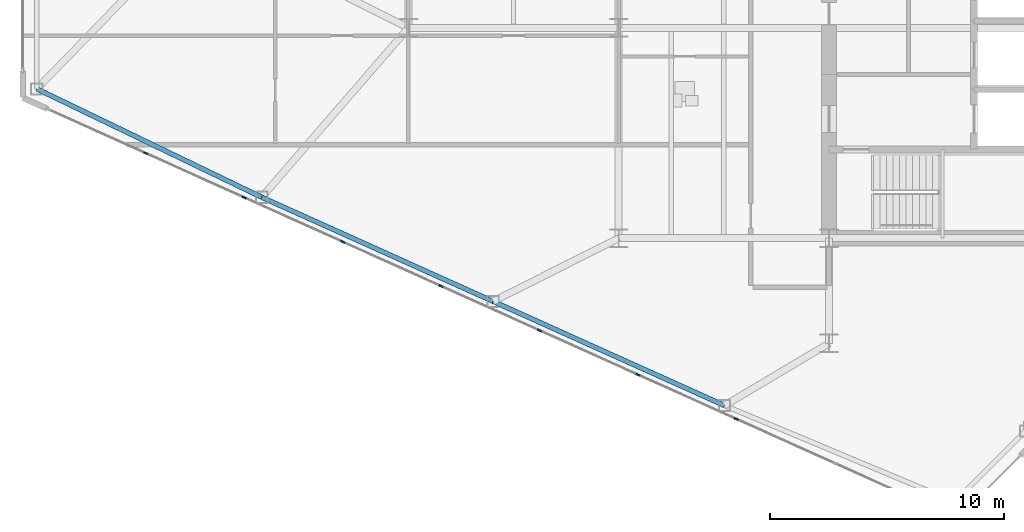
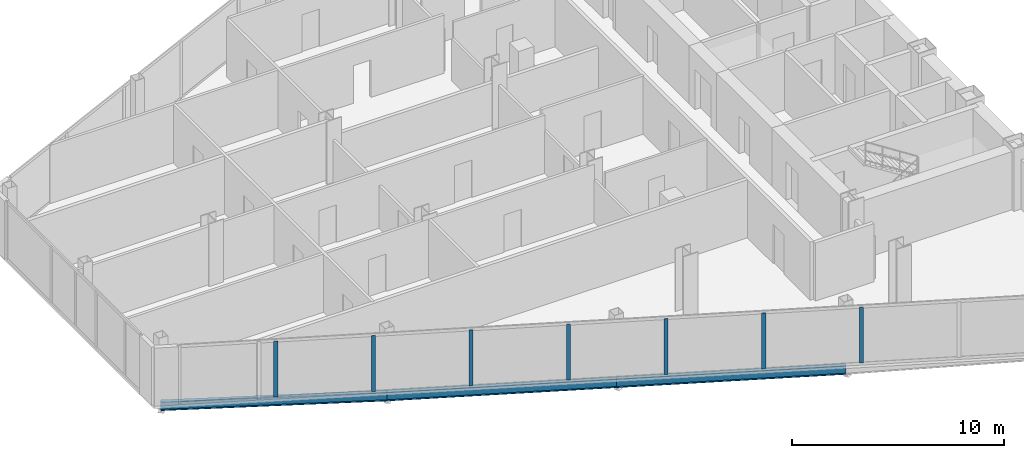
# One storey, part 3 of 27: 7 members, 3 beams, 1 element without a shape of its own.
"""IFC4 building model written with IfcOpenShell, lengths in metres."""

from ifc_helpers import new_model, si_unit, direction, frame, origin, origin_2d, place, context, subcontext, project, spatial, rectangle, i_section, extrude, source, transform, mapped, material, layer, layer_set, material_profile, profile_set, type_object, type_shapes, element, aggregate, save


model = new_model("IFC4")

# Units and contexts
model_context = context("Model", 3, precision=1e-05, world=origin(), true_north=direction((0.0, 1.0)))
body_context = subcontext(model_context, "Body", "Model", "MODEL_VIEW")
ifc_project = project(units=[si_unit("LENGTHUNIT", "METRE"), si_unit("AREAUNIT", "SQUARE_METRE"), si_unit("VOLUMEUNIT", "CUBIC_METRE"), si_unit("PLANEANGLEUNIT", "RADIAN"), si_unit("MASSUNIT", "GRAM", prefix="KILO")], contexts=[model_context])

# Site, building, storey
site_placement = place(None, origin())
site = spatial("IfcSite", under=ifc_project, at=site_placement, CompositionType="ELEMENT")
building_placement = place(site_placement, origin())
building = spatial("IfcBuilding", under=site, at=building_placement, Name="Seokmaru Belvedere", CompositionType="ELEMENT")
storey_placement = place(building_placement, frame((0.0, 0.0, 83.699951171875)))
storey = spatial("IfcBuildingStorey", under=building, at=storey_placement, Name="L22", CompositionType="ELEMENT", Elevation=83.699951171875)

# Beams
ifc_material_1 = material(Name="Steel SM355 (355 MPa)", Category="steel")
ifc_material_profile_1 = material_profile(ifc_material_1, i_section(OverallWidth=0.199951171875, OverallDepth=0.5, WebThickness=0.010009765625, FlangeThickness=0.01611328125, at=origin_2d()), Name="H-500x200x10x16")
ifc_profile_set_1 = profile_set([ifc_material_profile_1], Name="Steel SM355 (355 MPa)")
beam_type = type_object("IfcBeamType", Name="Perimeter Spandrel Beam H-500", PredefinedType="SPANDREL", material=ifc_profile_set_1)
shared_shape_1 = source(origin(), body_context, "Body", "SweptSolid", [
    extrude(i_section(OverallWidth=0.199951171875, OverallDepth=0.5, WebThickness=0.010009765625, FlangeThickness=0.01611328125, at=origin_2d()), origin(), (0.0, 0.0, 1.0), 10.85888671875),
])
for number, where, z_axis, x_axis, name in (
    (1, (-40.97265625, -20.661376953125, -0.469970703125), (-0.911921505175, 0.410364677329, 0.0), (-0.410364677329, -0.911921505175, 0.0), "L22 W Faceted Flank Spandrel S-2"),
    (2, (-50.875, -16.205322265625, -0.469970703125), (-0.911925291223, 0.410356263785, 0.0), (-0.410356263785, -0.911925291223, 0.0), "L22 W Faceted Flank Spandrel S-3"),
):
    element("IfcBeam", number, at=place(storey_placement, frame(where, z_axis=z_axis, x_axis=x_axis)), inside=storey, type_object=beam_type, Name=name, PredefinedType="SPANDREL", context=body_context, shape_type="MappedRepresentation", body=[
        mapped(shared_shape_1, transform((0.0, 0.0, 0.0), scale=1.0)),
    ])
shared_shape_2 = source(origin(), body_context, "Body", "SweptSolid", [
    extrude(i_section(OverallWidth=0.199951171875, OverallDepth=0.5, WebThickness=0.010009765625, FlangeThickness=0.01611328125, at=origin_2d()), origin(), (0.0, 0.0, 1.0), 10.681396484375),
])
type_shapes(beam_type, [shared_shape_1, shared_shape_2])
beam_placement = place(storey_placement, frame((-60.777587890625, -11.749267578125, -0.469970703125), z_axis=(-0.900846426616, 0.434137899352, 0.0), x_axis=(-0.434137899352, -0.900846426616, 0.0)))
element("IfcBeam", 3, at=beam_placement, inside=storey, type_object=beam_type, Name="L22 W Faceted Flank Spandrel S-4", PredefinedType="SPANDREL", context=body_context, shape_type="MappedRepresentation", body=[
    mapped(shared_shape_2, transform((0.0, 0.0, 0.0), scale=1.0)),
])

# Curtain wall, members
ifc_material_2 = material(Name="Bronze Triple Insulating Glass", Category="glass")
ifc_layer = layer(ifc_material_2, 0.195068359375)
ifc_layer_set = layer_set([ifc_layer], Name="Bronze Triple Insulating Glass")
curtain_wall_type = type_object("IfcCurtainWallType", Name="Lower-Mid Tapered Curtain Wall System CW-3", PredefinedType="NOTDEFINED", material=ifc_layer_set)
curtain_wall_placement = place(storey_placement, origin())
curtain_wall = element("IfcCurtainWall", 4, at=curtain_wall_placement, inside=storey, type_object=curtain_wall_type, Name="L22 Curtain Wall WF5", PredefinedType="NOTDEFINED")
ifc_material_3 = material(Name="Anodised Bronze Aluminium", Category="aluminium")
ifc_material_profile_2 = material_profile(ifc_material_3, rectangle(XDim=0.070068359375, YDim=0.195068359375, at=origin_2d()), Name="CW-M-70x195")
ifc_profile_set_2 = profile_set([ifc_material_profile_2], Name="Anodised Bronze Aluminium")
member_type = type_object("IfcMemberType", Name="Bronze Unitised Mullion 70x195", PredefinedType="MULLION", material=ifc_profile_set_2)
shared_shape_3 = source(origin(), body_context, "Body", "SweptSolid", [
    extrude(rectangle(XDim=0.070068359375, YDim=0.195068359375, at=origin_2d()), origin(), (0.0, 0.0, 1.0), 3.199951171875),
])
type_shapes(member_type, [shared_shape_3])
member_1_placement = place(storey_placement, frame((-65.739990234375, -9.866943359375, 0.070068359375), z_axis=(0.0, 0.0, 1.0), x_axis=(0.41036554765, 0.91192111353, 0.0)))
member_1 = element("IfcMember", 5, at=member_1_placement, type_object=member_type, Name="CW:L22:WF5 Mullion 2", PredefinedType="MULLION", context=body_context, shape_type="MappedRepresentation", body=[
    mapped(shared_shape_3, transform((0.0, 0.0, 0.0), scale=1.0)),
])
member_2_placement = place(storey_placement, frame((-61.528564453125, -11.76220703125, 0.070068359375), z_axis=(0.0, 0.0, 1.0), x_axis=(0.41036554765, 0.91192111353, 0.0)))
member_2 = element("IfcMember", 6, at=member_2_placement, type_object=member_type, Name="CW:L22:WF5 Mullion 3", PredefinedType="MULLION", context=body_context, shape_type="MappedRepresentation", body=[
    mapped(shared_shape_3, transform((0.0, 0.0, 0.0), scale=1.0)),
])
member_3_placement = place(storey_placement, frame((-57.317138671875, -13.6572265625, 0.070068359375), z_axis=(0.0, 0.0, 1.0), x_axis=(0.41036554765, 0.91192111353, 0.0)))
member_3 = element("IfcMember", 7, at=member_3_placement, type_object=member_type, Name="CW:L22:WF5 Mullion 4", PredefinedType="MULLION", context=body_context, shape_type="MappedRepresentation", body=[
    mapped(shared_shape_3, transform((0.0, 0.0, 0.0), scale=1.0)),
])
member_4_placement = place(storey_placement, frame((-53.105712890625, -15.552490234375, 0.070068359375), z_axis=(0.0, 0.0, 1.0), x_axis=(0.41036554765, 0.91192111353, 0.0)))
member_4 = element("IfcMember", 8, at=member_4_placement, type_object=member_type, Name="CW:L22:WF5 Mullion 5", PredefinedType="MULLION", context=body_context, shape_type="MappedRepresentation", body=[
    mapped(shared_shape_3, transform((0.0, 0.0, 0.0), scale=1.0)),
])
member_5_placement = place(storey_placement, frame((-48.894287109375, -17.447509765625, 0.070068359375), z_axis=(0.0, 0.0, 1.0), x_axis=(0.41036554765, 0.91192111353, 0.0)))
member_5 = element("IfcMember", 9, at=member_5_placement, type_object=member_type, Name="CW:L22:WF5 Mullion 6", PredefinedType="MULLION", context=body_context, shape_type="MappedRepresentation", body=[
    mapped(shared_shape_3, transform((0.0, 0.0, 0.0), scale=1.0)),
])
member_6_placement = place(storey_placement, frame((-44.682861328125, -19.3427734375, 0.070068359375), z_axis=(0.0, 0.0, 1.0), x_axis=(0.41036554765, 0.91192111353, 0.0)))
member_6 = element("IfcMember", 10, at=member_6_placement, type_object=member_type, Name="CW:L22:WF5 Mullion 7", PredefinedType="MULLION", context=body_context, shape_type="MappedRepresentation", body=[
    mapped(shared_shape_3, transform((0.0, 0.0, 0.0), scale=1.0)),
])
member_7_placement = place(storey_placement, frame((-40.471435546875, -21.23779296875, 0.070068359375), z_axis=(0.0, 0.0, 1.0), x_axis=(0.41036554765, 0.91192111353, 0.0)))
member_7 = element("IfcMember", 11, at=member_7_placement, type_object=member_type, Name="CW:L22:WF5 Mullion 8", PredefinedType="MULLION", context=body_context, shape_type="MappedRepresentation", body=[
    mapped(shared_shape_3, transform((0.0, 0.0, 0.0), scale=1.0)),
])
aggregate(curtain_wall, [member_1, member_2, member_3, member_4, member_5, member_6, member_7])

save(model, "model.ifc")
